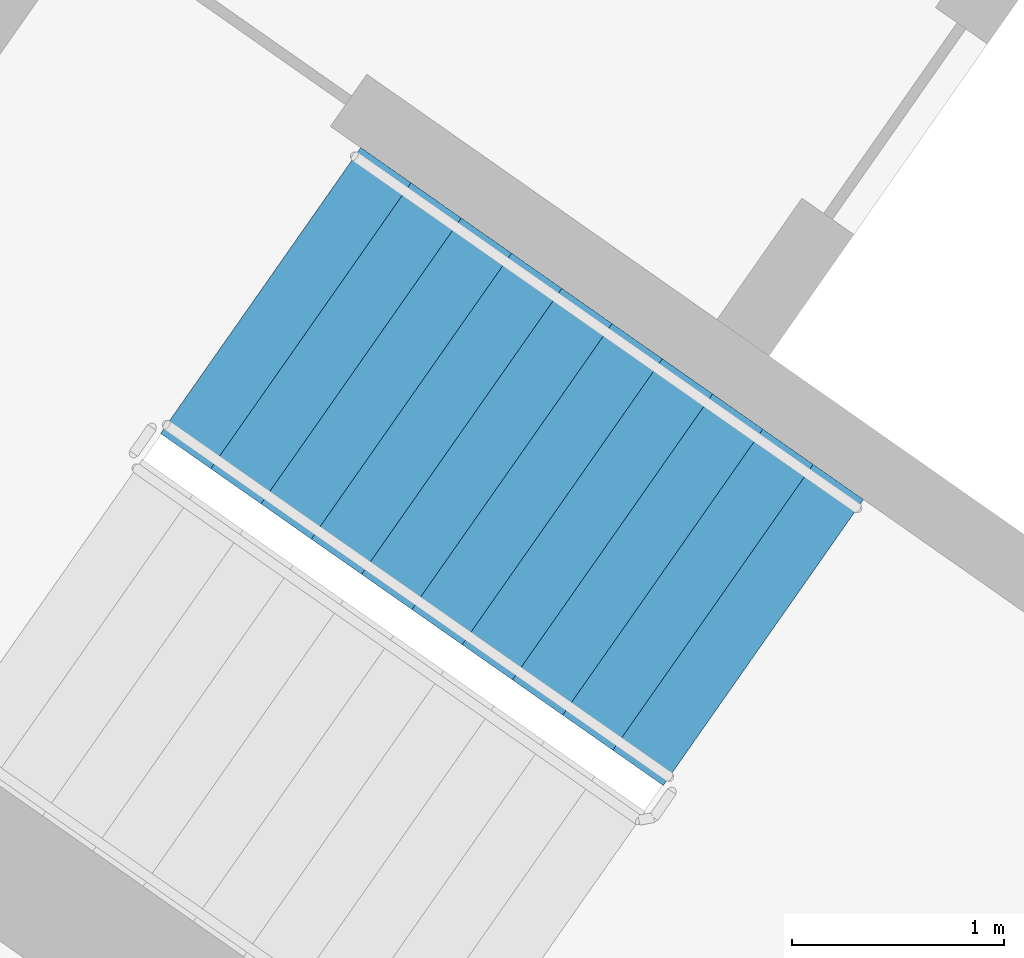
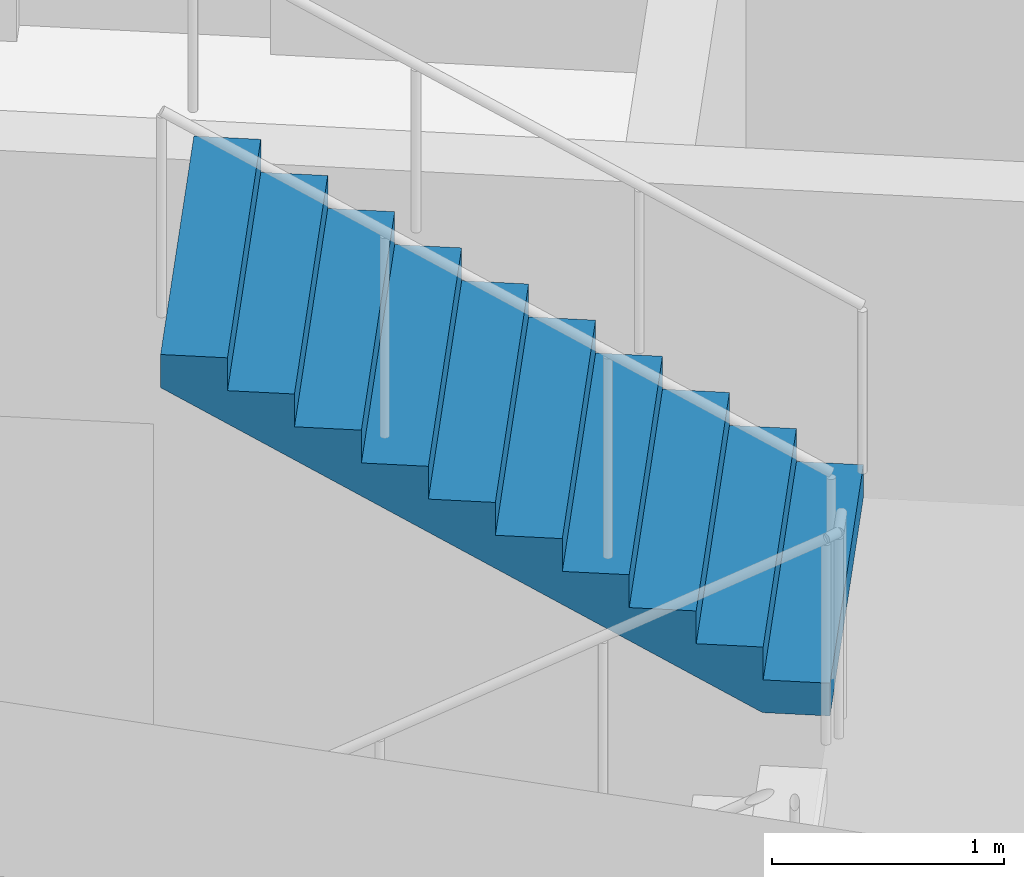
# One storey, part 10 of 27: 1 stair flight, 1 element without a shape of its own.
"""IFC4 building model written with IfcOpenShell, lengths in metres."""

from ifc_helpers import new_model, si_unit, direction, frame, origin, place, context, subcontext, project, spatial, faceted_brep, material, type_object, element, aggregate, save


model = new_model("IFC4")

# Units and contexts
model_context = context("Model", 3, precision=1e-05, world=origin(), true_north=direction((0.0, 1.0)))
body_context = subcontext(model_context, "Body", "Model", "MODEL_VIEW")
ifc_project = project(units=[si_unit("LENGTHUNIT", "METRE"), si_unit("AREAUNIT", "SQUARE_METRE"), si_unit("VOLUMEUNIT", "CUBIC_METRE"), si_unit("PLANEANGLEUNIT", "RADIAN"), si_unit("MASSUNIT", "GRAM", prefix="KILO")], contexts=[model_context])

# Site, building, storey
site_placement = place(None, origin())
site = spatial("IfcSite", under=ifc_project, at=site_placement, CompositionType="ELEMENT")
building_placement = place(site_placement, origin())
building = spatial("IfcBuilding", under=site, at=building_placement, Name="Qamariyya Broadcast Tower", CompositionType="ELEMENT")
storey_placement = place(building_placement, frame((0.0, 0.0, 164.5)))
storey = spatial("IfcBuildingStorey", under=building, at=storey_placement, Name="L38", CompositionType="ELEMENT", Elevation=164.5)

# Stair, stair flight
ifc_material = material(Name="Concrete C50/60", Category="concrete")
stair_type = type_object("IfcStairType", Name="Exit stair 22 risers of 173 mm", PredefinedType="HALF_TURN_STAIR", material=ifc_material)
stair_placement = place(storey_placement, origin())
stair = element("IfcStair", 1, at=stair_placement, inside=storey, type_object=stair_type, Name="L38 Stair W1", PredefinedType="HALF_TURN_STAIR")
stair_flight_type = type_object("IfcStairFlightType", Name="Exit stair flight 11 risers of 173 mm", PredefinedType="STRAIGHT", material=ifc_material)
stair_flight_placement = place(storey_placement, frame((-43.660888671875, -57.17138671875, 1.89990234375), z_axis=(0.0, 0.0, 1.0), x_axis=(-0.819152044289, 0.573576436351, 0.0)))
stair_flight = element("IfcStairFlight", 2, at=stair_flight_placement, type_object=stair_flight_type, Name="ST-W1 flight 2", NumberOfRisers=11, NumberOfTreads=10, PredefinedType="STRAIGHT", RiserHeight=0.172727273, TreadLength=0.29, context=body_context, shape_type="Brep", body=[
    faceted_brep([(0.0, 0.824951171875, 0.0), (0.0, 0.824951171875, 0.172607421875), (0.2900390625, 0.824951171875, 0.172607421875), (0.2900390625, 0.824951171875, 0.345458984375), (0.580078125, 0.824951171875, 0.345458984375), (0.580078125, 0.824951171875, 0.51806640625), (0.8701171875, 0.824951171875, 0.51806640625), (0.8701171875, 0.824951171875, 0.69091796875), (1.159912109375, 0.824951171875, 0.69091796875), (1.159912109375, 0.824951171875, 0.863525390625), (1.449951171875, 0.824951171875, 0.863525390625), (1.449951171875, 0.824951171875, 1.036376953125), (1.739990234375, 0.824951171875, 1.036376953125), (1.739990234375, 0.824951171875, 1.208984375), (2.030029296875, 0.824951171875, 1.208984375), (2.030029296875, 0.824951171875, 1.3818359375), (2.320068359375, 0.824951171875, 1.3818359375), (2.320068359375, 0.824951171875, 1.554443359375), (2.610107421875, 0.824951171875, 1.554443359375), (2.610107421875, 0.824951171875, 1.727294921875), (2.89990234375, 0.824951171875, 1.727294921875), (2.89990234375, 0.824951171875, 1.552734375), (0.29296875, 0.824951171875, 0.0), (0.29296875, -0.824951171875, 0.0), (2.89990234375, -0.824951171875, 1.552734375), (2.89990234375, -0.824951171875, 1.727294921875), (2.610107421875, -0.824951171875, 1.727294921875), (2.610107421875, -0.824951171875, 1.554443359375), (2.320068359375, -0.824951171875, 1.554443359375), (2.320068359375, -0.824951171875, 1.3818359375), (2.030029296875, -0.824951171875, 1.3818359375), (2.030029296875, -0.824951171875, 1.208984375), (1.739990234375, -0.824951171875, 1.208984375), (1.739990234375, -0.824951171875, 1.036376953125), (1.449951171875, -0.824951171875, 1.036376953125), (1.449951171875, -0.824951171875, 0.863525390625), (1.159912109375, -0.824951171875, 0.863525390625), (1.159912109375, -0.824951171875, 0.69091796875), (0.8701171875, -0.824951171875, 0.69091796875), (0.8701171875, -0.824951171875, 0.51806640625), (0.580078125, -0.824951171875, 0.51806640625), (0.580078125, -0.824951171875, 0.345458984375), (0.2900390625, -0.824951171875, 0.345458984375), (0.2900390625, -0.824951171875, 0.172607421875), (0.0, -0.824951171875, 0.172607421875), (0.0, -0.824951171875, 0.0), (0.0, 0.10009765625, 0.0), (0.0, 0.086669921875, 0.0), (0.0, 0.0732421875, 0.0), (0.0, 0.06005859375, 0.0), (0.0, 0.046630859375, 0.0), (0.0, 0.033447265625, 0.0), (0.0, 0.02001953125, 0.0), (0.0, 0.006591796875, 0.0), (0.0, -0.006591796875, 0.0), (0.0, -0.02001953125, 0.0), (0.0, -0.033447265625, 0.0), (0.0, -0.046630859375, 0.0), (0.0, -0.06005859375, 0.0), (0.0, -0.0732421875, 0.0), (0.0, -0.086669921875, 0.0), (0.0, -0.10009765625, 0.0), (0.0, -0.10009765625, 0.172607421875), (0.0, -0.086669921875, 0.172607421875), (0.0, -0.0732421875, 0.172607421875), (0.0, -0.06005859375, 0.172607421875), (0.0, -0.046630859375, 0.172607421875), (0.0, -0.033447265625, 0.172607421875), (0.0, -0.02001953125, 0.172607421875), (0.0, -0.006591796875, 0.172607421875), (0.0, 0.006591796875, 0.172607421875), (0.0, 0.02001953125, 0.172607421875), (0.0, 0.033447265625, 0.172607421875), (0.0, 0.046630859375, 0.172607421875), (0.0, 0.06005859375, 0.172607421875), (0.0, 0.0732421875, 0.172607421875), (0.0, 0.086669921875, 0.172607421875), (0.0, 0.10009765625, 0.172607421875), (0.2900390625, -0.10009765625, 0.172607421875), (0.2900390625, -0.086669921875, 0.172607421875), (0.2900390625, -0.0732421875, 0.172607421875), (0.2900390625, -0.06005859375, 0.172607421875), (0.2900390625, -0.046630859375, 0.172607421875), (0.2900390625, -0.033447265625, 0.172607421875), (0.2900390625, -0.02001953125, 0.172607421875), (0.2900390625, -0.006591796875, 0.172607421875), (0.2900390625, 0.006591796875, 0.172607421875), (0.2900390625, 0.02001953125, 0.172607421875), (0.2900390625, 0.033447265625, 0.172607421875), (0.2900390625, 0.046630859375, 0.172607421875), (0.2900390625, 0.06005859375, 0.172607421875), (0.2900390625, 0.0732421875, 0.172607421875), (0.2900390625, 0.086669921875, 0.172607421875), (0.2900390625, 0.10009765625, 0.172607421875), (0.2900390625, -0.10009765625, 0.345458984375), (0.2900390625, -0.086669921875, 0.345458984375), (0.2900390625, -0.0732421875, 0.345458984375), (0.2900390625, -0.06005859375, 0.345458984375), (0.2900390625, -0.046630859375, 0.345458984375), (0.2900390625, -0.033447265625, 0.345458984375), (0.2900390625, -0.02001953125, 0.345458984375), (0.2900390625, -0.006591796875, 0.345458984375), (0.2900390625, 0.006591796875, 0.345458984375), (0.2900390625, 0.02001953125, 0.345458984375), (0.2900390625, 0.033447265625, 0.345458984375), (0.2900390625, 0.046630859375, 0.345458984375), (0.2900390625, 0.06005859375, 0.345458984375), (0.2900390625, 0.0732421875, 0.345458984375), (0.2900390625, 0.086669921875, 0.345458984375), (0.2900390625, 0.10009765625, 0.345458984375), (0.580078125, -0.10009765625, 0.345458984375), (0.580078125, -0.086669921875, 0.345458984375), (0.580078125, -0.0732421875, 0.345458984375), (0.580078125, -0.06005859375, 0.345458984375), (0.580078125, -0.046630859375, 0.345458984375), (0.580078125, -0.033447265625, 0.345458984375), (0.580078125, -0.02001953125, 0.345458984375), (0.580078125, -0.006591796875, 0.345458984375), (0.580078125, 0.006591796875, 0.345458984375), (0.580078125, 0.02001953125, 0.345458984375), (0.580078125, 0.033447265625, 0.345458984375), (0.580078125, 0.046630859375, 0.345458984375), (0.580078125, 0.06005859375, 0.345458984375), (0.580078125, 0.0732421875, 0.345458984375), (0.580078125, 0.086669921875, 0.345458984375), (0.580078125, 0.10009765625, 0.345458984375), (0.580078125, -0.10009765625, 0.51806640625), (0.580078125, -0.086669921875, 0.51806640625), (0.580078125, -0.0732421875, 0.51806640625), (0.580078125, -0.06005859375, 0.51806640625), (0.580078125, -0.046630859375, 0.51806640625), (0.580078125, -0.033447265625, 0.51806640625), (0.580078125, -0.02001953125, 0.51806640625), (0.580078125, -0.006591796875, 0.51806640625), (0.580078125, 0.006591796875, 0.51806640625), (0.580078125, 0.02001953125, 0.51806640625), (0.580078125, 0.033447265625, 0.51806640625), (0.580078125, 0.046630859375, 0.51806640625), (0.580078125, 0.06005859375, 0.51806640625), (0.580078125, 0.0732421875, 0.51806640625), (0.580078125, 0.086669921875, 0.51806640625), (0.580078125, 0.10009765625, 0.51806640625), (0.8701171875, -0.10009765625, 0.51806640625), (0.8701171875, -0.086669921875, 0.51806640625), (0.8701171875, -0.0732421875, 0.51806640625), (0.8701171875, -0.06005859375, 0.51806640625), (0.8701171875, -0.046630859375, 0.51806640625), (0.8701171875, -0.033447265625, 0.51806640625), (0.8701171875, -0.02001953125, 0.51806640625), (0.8701171875, -0.006591796875, 0.51806640625), (0.8701171875, 0.006591796875, 0.51806640625), (0.8701171875, 0.02001953125, 0.51806640625), (0.8701171875, 0.033447265625, 0.51806640625), (0.8701171875, 0.046630859375, 0.51806640625), (0.8701171875, 0.06005859375, 0.51806640625), (0.8701171875, 0.0732421875, 0.51806640625), (0.8701171875, 0.086669921875, 0.51806640625), (0.8701171875, 0.10009765625, 0.51806640625), (0.8701171875, -0.10009765625, 0.69091796875), (0.8701171875, -0.086669921875, 0.69091796875), (0.8701171875, -0.0732421875, 0.69091796875), (0.8701171875, -0.06005859375, 0.69091796875), (0.8701171875, -0.046630859375, 0.69091796875), (0.8701171875, -0.033447265625, 0.69091796875), (0.8701171875, -0.02001953125, 0.69091796875), (0.8701171875, -0.006591796875, 0.69091796875), (0.8701171875, 0.006591796875, 0.69091796875), (0.8701171875, 0.02001953125, 0.69091796875), (0.8701171875, 0.033447265625, 0.69091796875), (0.8701171875, 0.046630859375, 0.69091796875), (0.8701171875, 0.06005859375, 0.69091796875), (0.8701171875, 0.0732421875, 0.69091796875), (0.8701171875, 0.086669921875, 0.69091796875), (0.8701171875, 0.10009765625, 0.69091796875), (1.159912109375, -0.10009765625, 0.69091796875), (1.159912109375, -0.086669921875, 0.69091796875), (1.159912109375, -0.0732421875, 0.69091796875), (1.159912109375, -0.06005859375, 0.69091796875), (1.159912109375, -0.046630859375, 0.69091796875), (1.159912109375, -0.033447265625, 0.69091796875), (1.159912109375, -0.02001953125, 0.69091796875), (1.159912109375, -0.006591796875, 0.69091796875), (1.159912109375, 0.006591796875, 0.69091796875), (1.159912109375, 0.02001953125, 0.69091796875), (1.159912109375, 0.033447265625, 0.69091796875), (1.159912109375, 0.046630859375, 0.69091796875), (1.159912109375, 0.06005859375, 0.69091796875), (1.159912109375, 0.0732421875, 0.69091796875), (1.159912109375, 0.086669921875, 0.69091796875), (1.159912109375, 0.10009765625, 0.69091796875), (1.159912109375, -0.10009765625, 0.863525390625), (1.159912109375, -0.086669921875, 0.863525390625), (1.159912109375, -0.0732421875, 0.863525390625), (1.159912109375, -0.06005859375, 0.863525390625), (1.159912109375, -0.046630859375, 0.863525390625), (1.159912109375, -0.033447265625, 0.863525390625), (1.159912109375, -0.02001953125, 0.863525390625), (1.159912109375, -0.006591796875, 0.863525390625), (1.159912109375, 0.006591796875, 0.863525390625), (1.159912109375, 0.02001953125, 0.863525390625), (1.159912109375, 0.033447265625, 0.863525390625), (1.159912109375, 0.046630859375, 0.863525390625), (1.159912109375, 0.06005859375, 0.863525390625), (1.159912109375, 0.0732421875, 0.863525390625), (1.159912109375, 0.086669921875, 0.863525390625), (1.159912109375, 0.10009765625, 0.863525390625), (1.449951171875, -0.10009765625, 0.863525390625), (1.449951171875, -0.086669921875, 0.863525390625), (1.449951171875, -0.0732421875, 0.863525390625), (1.449951171875, -0.06005859375, 0.863525390625), (1.449951171875, -0.046630859375, 0.863525390625), (1.449951171875, -0.033447265625, 0.863525390625), (1.449951171875, -0.02001953125, 0.863525390625), (1.449951171875, -0.006591796875, 0.863525390625), (1.449951171875, 0.006591796875, 0.863525390625), (1.449951171875, 0.02001953125, 0.863525390625), (1.449951171875, 0.033447265625, 0.863525390625), (1.449951171875, 0.046630859375, 0.863525390625), (1.449951171875, 0.06005859375, 0.863525390625), (1.449951171875, 0.0732421875, 0.863525390625), (1.449951171875, 0.086669921875, 0.863525390625), (1.449951171875, 0.10009765625, 0.863525390625), (1.449951171875, -0.10009765625, 1.036376953125), (1.449951171875, -0.086669921875, 1.036376953125), (1.449951171875, -0.0732421875, 1.036376953125), (1.449951171875, -0.06005859375, 1.036376953125), (1.449951171875, -0.046630859375, 1.036376953125), (1.449951171875, -0.033447265625, 1.036376953125), (1.449951171875, -0.02001953125, 1.036376953125), (1.449951171875, -0.006591796875, 1.036376953125), (1.449951171875, 0.006591796875, 1.036376953125), (1.449951171875, 0.02001953125, 1.036376953125), (1.449951171875, 0.033447265625, 1.036376953125), (1.449951171875, 0.046630859375, 1.036376953125), (1.449951171875, 0.06005859375, 1.036376953125), (1.449951171875, 0.0732421875, 1.036376953125), (1.449951171875, 0.086669921875, 1.036376953125), (1.449951171875, 0.10009765625, 1.036376953125), (1.739990234375, -0.10009765625, 1.036376953125), (1.739990234375, -0.086669921875, 1.036376953125), (1.739990234375, -0.0732421875, 1.036376953125), (1.739990234375, -0.06005859375, 1.036376953125), (1.739990234375, -0.046630859375, 1.036376953125), (1.739990234375, -0.033447265625, 1.036376953125), (1.739990234375, -0.02001953125, 1.036376953125), (1.739990234375, -0.006591796875, 1.036376953125), (1.739990234375, 0.006591796875, 1.036376953125), (1.739990234375, 0.02001953125, 1.036376953125), (1.739990234375, 0.033447265625, 1.036376953125), (1.739990234375, 0.046630859375, 1.036376953125), (1.739990234375, 0.06005859375, 1.036376953125), (1.739990234375, 0.0732421875, 1.036376953125), (1.739990234375, 0.086669921875, 1.036376953125), (1.739990234375, 0.10009765625, 1.036376953125), (1.739990234375, -0.10009765625, 1.208984375), (1.739990234375, -0.086669921875, 1.208984375), (1.739990234375, -0.0732421875, 1.208984375), (1.739990234375, -0.06005859375, 1.208984375), (1.739990234375, -0.046630859375, 1.208984375), (1.739990234375, -0.033447265625, 1.208984375), (1.739990234375, -0.02001953125, 1.208984375), (1.739990234375, -0.006591796875, 1.208984375), (1.739990234375, 0.006591796875, 1.208984375), (1.739990234375, 0.02001953125, 1.208984375), (1.739990234375, 0.033447265625, 1.208984375), (1.739990234375, 0.046630859375, 1.208984375), (1.739990234375, 0.06005859375, 1.208984375), (1.739990234375, 0.0732421875, 1.208984375), (1.739990234375, 0.086669921875, 1.208984375), (1.739990234375, 0.10009765625, 1.208984375), (2.030029296875, -0.10009765625, 1.208984375), (2.030029296875, -0.086669921875, 1.208984375), (2.030029296875, -0.0732421875, 1.208984375), (2.030029296875, -0.06005859375, 1.208984375), (2.030029296875, -0.046630859375, 1.208984375), (2.030029296875, -0.033447265625, 1.208984375), (2.030029296875, -0.02001953125, 1.208984375), (2.030029296875, -0.006591796875, 1.208984375), (2.030029296875, 0.006591796875, 1.208984375), (2.030029296875, 0.02001953125, 1.208984375), (2.030029296875, 0.033447265625, 1.208984375), (2.030029296875, 0.046630859375, 1.208984375), (2.030029296875, 0.06005859375, 1.208984375), (2.030029296875, 0.0732421875, 1.208984375), (2.030029296875, 0.086669921875, 1.208984375), (2.030029296875, 0.10009765625, 1.208984375), (2.030029296875, -0.10009765625, 1.3818359375), (2.030029296875, -0.086669921875, 1.3818359375), (2.030029296875, -0.0732421875, 1.3818359375), (2.030029296875, -0.06005859375, 1.3818359375), (2.030029296875, -0.046630859375, 1.3818359375), (2.030029296875, -0.033447265625, 1.3818359375), (2.030029296875, -0.02001953125, 1.3818359375), (2.030029296875, -0.006591796875, 1.3818359375), (2.030029296875, 0.006591796875, 1.3818359375), (2.030029296875, 0.02001953125, 1.3818359375), (2.030029296875, 0.033447265625, 1.3818359375), (2.030029296875, 0.046630859375, 1.3818359375), (2.030029296875, 0.06005859375, 1.3818359375), (2.030029296875, 0.0732421875, 1.3818359375), (2.030029296875, 0.086669921875, 1.3818359375), (2.030029296875, 0.10009765625, 1.3818359375), (2.320068359375, -0.10009765625, 1.3818359375), (2.320068359375, -0.086669921875, 1.3818359375), (2.320068359375, -0.0732421875, 1.3818359375), (2.320068359375, -0.06005859375, 1.3818359375), (2.320068359375, -0.046630859375, 1.3818359375), (2.320068359375, -0.033447265625, 1.3818359375), (2.320068359375, -0.02001953125, 1.3818359375), (2.320068359375, -0.006591796875, 1.3818359375), (2.320068359375, 0.006591796875, 1.3818359375), (2.320068359375, 0.02001953125, 1.3818359375), (2.320068359375, 0.033447265625, 1.3818359375), (2.320068359375, 0.046630859375, 1.3818359375), (2.320068359375, 0.06005859375, 1.3818359375), (2.320068359375, 0.0732421875, 1.3818359375), (2.320068359375, 0.086669921875, 1.3818359375), (2.320068359375, 0.10009765625, 1.3818359375), (2.320068359375, -0.10009765625, 1.554443359375), (2.320068359375, -0.086669921875, 1.554443359375), (2.320068359375, -0.0732421875, 1.554443359375), (2.320068359375, -0.06005859375, 1.554443359375), (2.320068359375, -0.046630859375, 1.554443359375), (2.320068359375, -0.033447265625, 1.554443359375), (2.320068359375, -0.02001953125, 1.554443359375), (2.320068359375, -0.006591796875, 1.554443359375), (2.320068359375, 0.006591796875, 1.554443359375), (2.320068359375, 0.02001953125, 1.554443359375), (2.320068359375, 0.033447265625, 1.554443359375), (2.320068359375, 0.046630859375, 1.554443359375), (2.320068359375, 0.06005859375, 1.554443359375), (2.320068359375, 0.0732421875, 1.554443359375), (2.320068359375, 0.086669921875, 1.554443359375), (2.320068359375, 0.10009765625, 1.554443359375), (2.610107421875, -0.10009765625, 1.554443359375), (2.610107421875, -0.086669921875, 1.554443359375), (2.610107421875, -0.0732421875, 1.554443359375), (2.610107421875, -0.06005859375, 1.554443359375), (2.610107421875, -0.046630859375, 1.554443359375), (2.610107421875, -0.033447265625, 1.554443359375), (2.610107421875, -0.02001953125, 1.554443359375), (2.610107421875, -0.006591796875, 1.554443359375), (2.610107421875, 0.006591796875, 1.554443359375), (2.610107421875, 0.02001953125, 1.554443359375), (2.610107421875, 0.033447265625, 1.554443359375), (2.610107421875, 0.046630859375, 1.554443359375), (2.610107421875, 0.06005859375, 1.554443359375), (2.610107421875, 0.0732421875, 1.554443359375), (2.610107421875, 0.086669921875, 1.554443359375), (2.610107421875, 0.10009765625, 1.554443359375), (2.610107421875, -0.10009765625, 1.727294921875), (2.610107421875, -0.086669921875, 1.727294921875), (2.610107421875, -0.0732421875, 1.727294921875), (2.610107421875, -0.06005859375, 1.727294921875), (2.610107421875, -0.046630859375, 1.727294921875), (2.610107421875, -0.033447265625, 1.727294921875), (2.610107421875, -0.02001953125, 1.727294921875), (2.610107421875, -0.006591796875, 1.727294921875), (2.610107421875, 0.006591796875, 1.727294921875), (2.610107421875, 0.02001953125, 1.727294921875), (2.610107421875, 0.033447265625, 1.727294921875), (2.610107421875, 0.046630859375, 1.727294921875), (2.610107421875, 0.06005859375, 1.727294921875), (2.610107421875, 0.0732421875, 1.727294921875), (2.610107421875, 0.086669921875, 1.727294921875), (2.610107421875, 0.10009765625, 1.727294921875), (2.89990234375, -0.10009765625, 1.727294921875), (2.89990234375, -0.086669921875, 1.727294921875), (2.89990234375, -0.0732421875, 1.727294921875), (2.89990234375, -0.06005859375, 1.727294921875), (2.89990234375, -0.046630859375, 1.727294921875), (2.89990234375, -0.033447265625, 1.727294921875), (2.89990234375, -0.02001953125, 1.727294921875), (2.89990234375, -0.006591796875, 1.727294921875), (2.89990234375, 0.006591796875, 1.727294921875), (2.89990234375, 0.02001953125, 1.727294921875), (2.89990234375, 0.033447265625, 1.727294921875), (2.89990234375, 0.046630859375, 1.727294921875), (2.89990234375, 0.06005859375, 1.727294921875), (2.89990234375, 0.0732421875, 1.727294921875), (2.89990234375, 0.086669921875, 1.727294921875), (2.89990234375, 0.10009765625, 1.727294921875), (2.89990234375, -0.10009765625, 1.552734375), (2.89990234375, -0.086669921875, 1.552734375), (2.89990234375, -0.0732421875, 1.552734375), (2.89990234375, -0.06005859375, 1.552734375), (2.89990234375, -0.046630859375, 1.552734375), (2.89990234375, -0.033447265625, 1.552734375), (2.89990234375, -0.02001953125, 1.552734375), (2.89990234375, -0.006591796875, 1.552734375), (2.89990234375, 0.006591796875, 1.552734375), (2.89990234375, 0.02001953125, 1.552734375), (2.89990234375, 0.033447265625, 1.552734375), (2.89990234375, 0.046630859375, 1.552734375), (2.89990234375, 0.06005859375, 1.552734375), (2.89990234375, 0.0732421875, 1.552734375), (2.89990234375, 0.086669921875, 1.552734375), (2.89990234375, 0.10009765625, 1.552734375), (0.29296875, -0.10009765625, 0.0), (0.29296875, -0.086669921875, 0.0), (0.29296875, -0.0732421875, 0.0), (0.29296875, -0.06005859375, 0.0), (0.29296875, -0.046630859375, 0.0), (0.29296875, -0.033447265625, 0.0), (0.29296875, -0.02001953125, 0.0), (0.29296875, -0.006591796875, 0.0), (0.29296875, 0.006591796875, 0.0), (0.29296875, 0.02001953125, 0.0), (0.29296875, 0.033447265625, 0.0), (0.29296875, 0.046630859375, 0.0), (0.29296875, 0.06005859375, 0.0), (0.29296875, 0.0732421875, 0.0), (0.29296875, 0.086669921875, 0.0), (0.29296875, 0.10009765625, 0.0)], [[[0, 1, 2, 3, 4, 5, 6, 7, 8, 9, 10, 11, 12, 13, 14, 15, 16, 17, 18, 19, 20, 21, 22]], [[23, 24, 25, 26, 27, 28, 29, 30, 31, 32, 33, 34, 35, 36, 37, 38, 39, 40, 41, 42, 43, 44, 45]], [[0, 46, 47, 48, 49, 50, 51, 52, 53, 54, 55, 56, 57, 58, 59, 60, 61, 45, 44, 62, 63, 64, 65, 66, 67, 68, 69, 70, 71, 72, 73, 74, 75, 76, 77, 1]], [[1, 77, 76, 75, 74, 73, 72, 71, 70, 69, 68, 67, 66, 65, 64, 63, 62, 44, 43, 78, 79, 80, 81, 82, 83, 84, 85, 86, 87, 88, 89, 90, 91, 92, 93, 2]], [[2, 93, 92, 91, 90, 89, 88, 87, 86, 85, 84, 83, 82, 81, 80, 79, 78, 43, 42, 94, 95, 96, 97, 98, 99, 100, 101, 102, 103, 104, 105, 106, 107, 108, 109, 3]], [[3, 109, 108, 107, 106, 105, 104, 103, 102, 101, 100, 99, 98, 97, 96, 95, 94, 42, 41, 110, 111, 112, 113, 114, 115, 116, 117, 118, 119, 120, 121, 122, 123, 124, 125, 4]], [[4, 125, 124, 123, 122, 121, 120, 119, 118, 117, 116, 115, 114, 113, 112, 111, 110, 41, 40, 126, 127, 128, 129, 130, 131, 132, 133, 134, 135, 136, 137, 138, 139, 140, 141, 5]], [[5, 141, 140, 139, 138, 137, 136, 135, 134, 133, 132, 131, 130, 129, 128, 127, 126, 40, 39, 142, 143, 144, 145, 146, 147, 148, 149, 150, 151, 152, 153, 154, 155, 156, 157, 6]], [[6, 157, 156, 155, 154, 153, 152, 151, 150, 149, 148, 147, 146, 145, 144, 143, 142, 39, 38, 158, 159, 160, 161, 162, 163, 164, 165, 166, 167, 168, 169, 170, 171, 172, 173, 7]], [[7, 173, 172, 171, 170, 169, 168, 167, 166, 165, 164, 163, 162, 161, 160, 159, 158, 38, 37, 174, 175, 176, 177, 178, 179, 180, 181, 182, 183, 184, 185, 186, 187, 188, 189, 8]], [[8, 189, 188, 187, 186, 185, 184, 183, 182, 181, 180, 179, 178, 177, 176, 175, 174, 37, 36, 190, 191, 192, 193, 194, 195, 196, 197, 198, 199, 200, 201, 202, 203, 204, 205, 9]], [[9, 205, 204, 203, 202, 201, 200, 199, 198, 197, 196, 195, 194, 193, 192, 191, 190, 36, 35, 206, 207, 208, 209, 210, 211, 212, 213, 214, 215, 216, 217, 218, 219, 220, 221, 10]], [[10, 221, 220, 219, 218, 217, 216, 215, 214, 213, 212, 211, 210, 209, 208, 207, 206, 35, 34, 222, 223, 224, 225, 226, 227, 228, 229, 230, 231, 232, 233, 234, 235, 236, 237, 11]], [[11, 237, 236, 235, 234, 233, 232, 231, 230, 229, 228, 227, 226, 225, 224, 223, 222, 34, 33, 238, 239, 240, 241, 242, 243, 244, 245, 246, 247, 248, 249, 250, 251, 252, 253, 12]], [[12, 253, 252, 251, 250, 249, 248, 247, 246, 245, 244, 243, 242, 241, 240, 239, 238, 33, 32, 254, 255, 256, 257, 258, 259, 260, 261, 262, 263, 264, 265, 266, 267, 268, 269, 13]], [[13, 269, 268, 267, 266, 265, 264, 263, 262, 261, 260, 259, 258, 257, 256, 255, 254, 32, 31, 270, 271, 272, 273, 274, 275, 276, 277, 278, 279, 280, 281, 282, 283, 284, 285, 14]], [[14, 285, 284, 283, 282, 281, 280, 279, 278, 277, 276, 275, 274, 273, 272, 271, 270, 31, 30, 286, 287, 288, 289, 290, 291, 292, 293, 294, 295, 296, 297, 298, 299, 300, 301, 15]], [[15, 301, 300, 299, 298, 297, 296, 295, 294, 293, 292, 291, 290, 289, 288, 287, 286, 30, 29, 302, 303, 304, 305, 306, 307, 308, 309, 310, 311, 312, 313, 314, 315, 316, 317, 16]], [[16, 317, 316, 315, 314, 313, 312, 311, 310, 309, 308, 307, 306, 305, 304, 303, 302, 29, 28, 318, 319, 320, 321, 322, 323, 324, 325, 326, 327, 328, 329, 330, 331, 332, 333, 17]], [[17, 333, 332, 331, 330, 329, 328, 327, 326, 325, 324, 323, 322, 321, 320, 319, 318, 28, 27, 334, 335, 336, 337, 338, 339, 340, 341, 342, 343, 344, 345, 346, 347, 348, 349, 18]], [[18, 349, 348, 347, 346, 345, 344, 343, 342, 341, 340, 339, 338, 337, 336, 335, 334, 27, 26, 350, 351, 352, 353, 354, 355, 356, 357, 358, 359, 360, 361, 362, 363, 364, 365, 19]], [[19, 365, 364, 363, 362, 361, 360, 359, 358, 357, 356, 355, 354, 353, 352, 351, 350, 26, 25, 366, 367, 368, 369, 370, 371, 372, 373, 374, 375, 376, 377, 378, 379, 380, 381, 20]], [[20, 381, 380, 379, 378, 377, 376, 375, 374, 373, 372, 371, 370, 369, 368, 367, 366, 25, 24, 382, 383, 384, 385, 386, 387, 388, 389, 390, 391, 392, 393, 394, 395, 396, 397, 21]], [[21, 397, 396, 395, 394, 393, 392, 391, 390, 389, 388, 387, 386, 385, 384, 383, 382, 24, 23, 398, 399, 400, 401, 402, 403, 404, 405, 406, 407, 408, 409, 410, 411, 412, 413, 22]], [[22, 413, 412, 411, 410, 409, 408, 407, 406, 405, 404, 403, 402, 401, 400, 399, 398, 23, 45, 61, 60, 59, 58, 57, 56, 55, 54, 53, 52, 51, 50, 49, 48, 47, 46, 0]]]),
])
aggregate(stair, [stair_flight])

save(model, "model.ifc")
